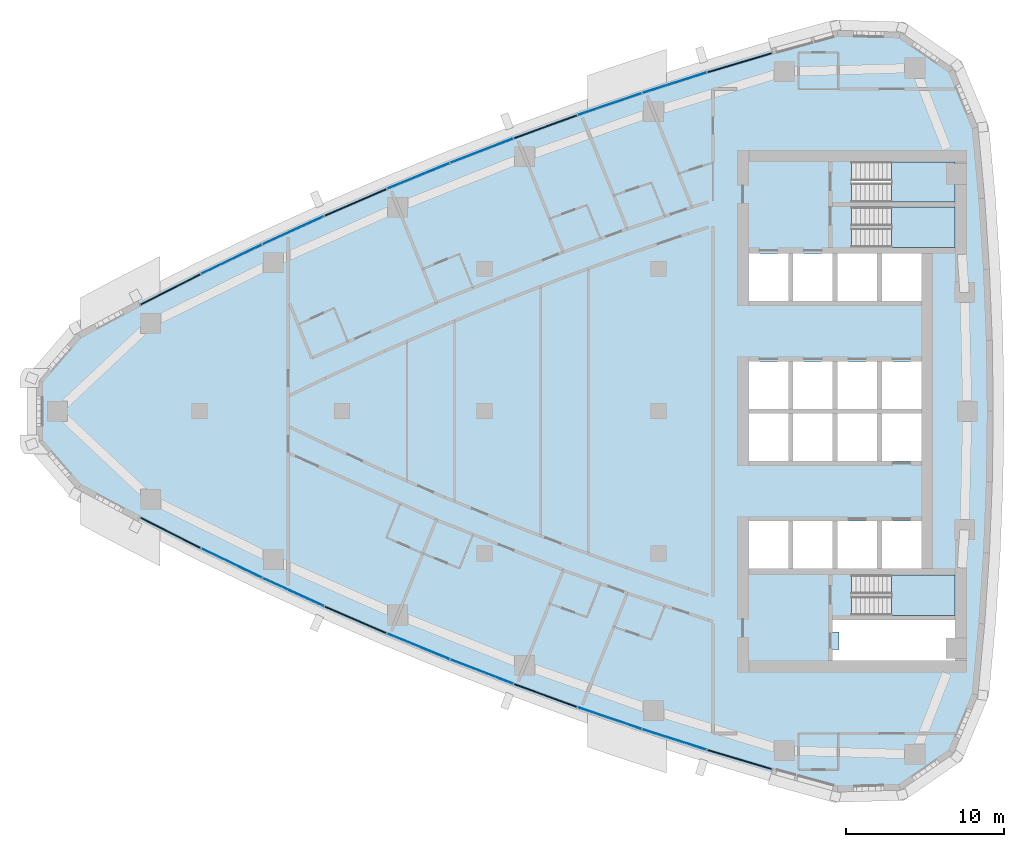
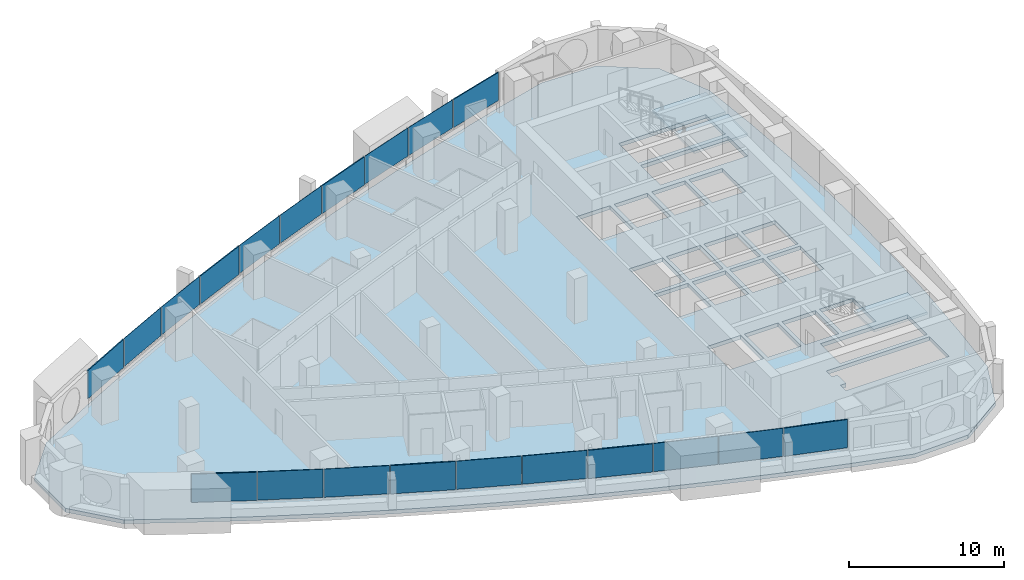
# One storey, part 8 of 17: 20 plates, 4 slabs, 1 opening, 13 elements without a shape of their own.
"""IFC4 building model written with IfcOpenShell, lengths in metres."""

from ifc_helpers import new_model, si_unit, direction, frame, origin, origin_2d, place, context, subcontext, project, spatial, polyline, rectangle, outline, extrude, material, layer, layer_set, type_object, element, aggregate, save


model = new_model("IFC4")

# Units and contexts
model_context = context("Model", 3, precision=1e-05, world=origin(), true_north=direction((0.0, 1.0)))
body_context = subcontext(model_context, "Body", "Model", "MODEL_VIEW")
ifc_project = project(units=[si_unit("LENGTHUNIT", "METRE"), si_unit("AREAUNIT", "SQUARE_METRE"), si_unit("VOLUMEUNIT", "CUBIC_METRE"), si_unit("PLANEANGLEUNIT", "RADIAN"), si_unit("MASSUNIT", "GRAM", prefix="KILO")], contexts=[model_context])

# Site, building, storey
site_placement = place(None, origin())
site = spatial("IfcSite", under=ifc_project, at=site_placement, CompositionType="ELEMENT")
building_placement = place(site_placement, origin())
building = spatial("IfcBuilding", under=site, at=building_placement, Name="Ostrand Prow Hotel Tower", CompositionType="ELEMENT")
storey_placement = place(building_placement, frame((0.0, 0.0, 175.5)))
storey = spatial("IfcBuildingStorey", under=building, at=storey_placement, Name="L43", CompositionType="ELEMENT", Elevation=175.5)

# Curtain wall, plate
ifc_material_1 = material(Name="Insulated glass in bronze anodised frame", Category="glass")
ifc_layer_1 = layer(ifc_material_1, 0.199951171875)
ifc_layer_set_1 = layer_set([ifc_layer_1], Name="Insulated glass in bronze anodised frame")
curtain_wall_type = type_object("IfcCurtainWallType", Name="Strip curtain wall, fritted glass over bronze spandrel", PredefinedType="NOTDEFINED", material=ifc_layer_set_1)
curtain_wall_1_placement = place(storey_placement, origin())
curtain_wall_1 = element("IfcCurtainWall", 1, at=curtain_wall_1_placement, inside=storey, type_object=curtain_wall_type, Name="CW1 run CWS1", PredefinedType="NOTDEFINED")
ifc_material_2 = material(Name="Ceramic-fritted glass", Category="glass")
ifc_layer_2 = layer(ifc_material_2, 0.031982421875)
ifc_layer_set_2 = layer_set([ifc_layer_2], Name="Ceramic-fritted glass")
plate_type_1 = type_object("IfcPlateType", Name="Dot-fritted ceramic glass unit 32 mm", PredefinedType="CURTAIN_PANEL", material=ifc_layer_set_2)
plate_1_placement = place(storey_placement, frame((18.033203125, -9.596435546875, 1.02001953125), z_axis=(0.0, 0.0, 1.0), x_axis=(0.90061633232, -0.434615027304, 0.0)))
plate_1 = element("IfcPlate", 2, at=plate_1_placement, type_object=plate_type_1, Name="CW1 PN-D panel 2.2", PredefinedType="CURTAIN_PANEL", context=body_context, shape_type="SweptSolid", body=[
    extrude(rectangle(XDim=4.2451171875, YDim=0.031982421875, at=origin_2d()), origin(), (0.0, 0.0, 1.0), 2.22998046875),
])

curtain_wall_2_placement = place(storey_placement, origin())
curtain_wall_2 = element("IfcCurtainWall", 3, at=curtain_wall_2_placement, inside=storey, type_object=curtain_wall_type, Name="CW1 run CWS2", PredefinedType="NOTDEFINED")
plate_2_placement = place(storey_placement, frame((21.928955078125, -11.428466796875, 1.02001953125), z_axis=(0.0, 0.0, 1.0), x_axis=(0.909184517226, -0.416393460127, 0.0)))
plate_2 = element("IfcPlate", 4, at=plate_2_placement, type_object=plate_type_1, Name="CW1 PN-D panel 1.2", PredefinedType="CURTAIN_PANEL", context=body_context, shape_type="SweptSolid", body=[
    extrude(rectangle(XDim=4.2451171875, YDim=0.031982421875, at=origin_2d()), origin(), (0.0, 0.0, 1.0), 2.22998046875),
])

# Curtain wall, plates
curtain_wall_3_placement = place(storey_placement, origin())
curtain_wall_3 = element("IfcCurtainWall", 5, at=curtain_wall_3_placement, inside=storey, type_object=curtain_wall_type, Name="CW1 run CWS3", PredefinedType="NOTDEFINED")
plate_3_placement = place(storey_placement, frame((29.826904296875, -14.85498046875, 1.02001953125), z_axis=(0.0, 0.0, 1.0), x_axis=(0.925211042932, -0.379452929936, 0.0)))
plate_3 = element("IfcPlate", 6, at=plate_3_placement, type_object=plate_type_1, Name="CW1 PN-D panel 1.2", PredefinedType="CURTAIN_PANEL", context=body_context, shape_type="SweptSolid", body=[
    extrude(rectangle(XDim=4.2451171875, YDim=0.031982421875, at=origin_2d()), origin(), (0.0, 0.0, 1.0), 2.22998046875),
])
plate_4_placement = place(storey_placement, frame((33.826171875, -16.4482421875, 1.02001953125), z_axis=(0.0, 0.0, 1.0), x_axis=(0.932662950972, -0.360748970732, 0.0)))
plate_4 = element("IfcPlate", 7, at=plate_4_placement, type_object=plate_type_1, Name="CW1 PN-D panel 2.2", PredefinedType="CURTAIN_PANEL", context=body_context, shape_type="SweptSolid", body=[
    extrude(rectangle(XDim=4.2451171875, YDim=0.031982421875, at=origin_2d()), origin(), (0.0, 0.0, 1.0), 2.22998046875),
])
aggregate(curtain_wall_3, [plate_3, plate_4])

# Curtain wall, plate
curtain_wall_4_placement = place(storey_placement, origin())
curtain_wall_4 = element("IfcCurtainWall", 8, at=curtain_wall_4_placement, inside=storey, type_object=curtain_wall_type, Name="CW1 run CWS4", PredefinedType="NOTDEFINED")
plate_5_placement = place(storey_placement, frame((41.91650390625, -19.3916015625, 1.02001953125), z_axis=(0.0, 0.0, 1.0), x_axis=(0.946430245113, -0.322908332404, 0.0)))
plate_5 = element("IfcPlate", 9, at=plate_5_placement, type_object=plate_type_1, Name="CW1 PN-D panel 2.2", PredefinedType="CURTAIN_PANEL", context=body_context, shape_type="SweptSolid", body=[
    extrude(rectangle(XDim=4.2451171875, YDim=0.031982421875, at=origin_2d()), origin(), (0.0, 0.0, 1.0), 2.22998046875),
])

curtain_wall_5_placement = place(storey_placement, origin())
curtain_wall_5 = element("IfcCurtainWall", 10, at=curtain_wall_5_placement, inside=storey, type_object=curtain_wall_type, Name="CW1 run CWS5", PredefinedType="NOTDEFINED")
plate_6_placement = place(storey_placement, frame((46.00439453125, -20.74072265625, 1.02001953125), z_axis=(0.0, 0.0, 1.0), x_axis=(0.952739983864, -0.303786970008, 0.0)))
plate_6 = element("IfcPlate", 11, at=plate_6_placement, type_object=plate_type_1, Name="CW1 PN-D panel 1.2", PredefinedType="CURTAIN_PANEL", context=body_context, shape_type="SweptSolid", body=[
    extrude(rectangle(XDim=4.2451171875, YDim=0.031982421875, at=origin_2d()), origin(), (0.0, 0.0, 1.0), 2.22998046875),
])

curtain_wall_6_placement = place(storey_placement, origin())
curtain_wall_6 = element("IfcCurtainWall", 12, at=curtain_wall_6_placement, inside=storey, type_object=curtain_wall_type, Name="CW1 run CWN1", PredefinedType="NOTDEFINED")
plate_7_placement = place(storey_placement, frame((46.00439453125, 20.74072265625, 1.02001953125), z_axis=(0.0, 0.0, 1.0), x_axis=(-0.952739983864, -0.303786970008, 0.0)))
plate_7 = element("IfcPlate", 13, at=plate_7_placement, type_object=plate_type_1, Name="CW1 PN-D panel 2.2", PredefinedType="CURTAIN_PANEL", context=body_context, shape_type="SweptSolid", body=[
    extrude(rectangle(XDim=4.2451171875, YDim=0.031982421875, at=origin_2d()), origin(), (0.0, 0.0, 1.0), 2.22998046875),
])

curtain_wall_7_placement = place(storey_placement, origin())
curtain_wall_7 = element("IfcCurtainWall", 14, at=curtain_wall_7_placement, inside=storey, type_object=curtain_wall_type, Name="CW1 run CWN2", PredefinedType="NOTDEFINED")
plate_8_placement = place(storey_placement, frame((41.91650390625, 19.3916015625, 1.02001953125), z_axis=(0.0, 0.0, 1.0), x_axis=(-0.946430245113, -0.322908332404, 0.0)))
plate_8 = element("IfcPlate", 15, at=plate_8_placement, type_object=plate_type_1, Name="CW1 PN-D panel 1.2", PredefinedType="CURTAIN_PANEL", context=body_context, shape_type="SweptSolid", body=[
    extrude(rectangle(XDim=4.2451171875, YDim=0.031982421875, at=origin_2d()), origin(), (0.0, 0.0, 1.0), 2.22998046875),
])

# Curtain wall, plates
curtain_wall_8_placement = place(storey_placement, origin())
curtain_wall_8 = element("IfcCurtainWall", 16, at=curtain_wall_8_placement, inside=storey, type_object=curtain_wall_type, Name="CW1 run CWN3", PredefinedType="NOTDEFINED")
plate_9_placement = place(storey_placement, frame((33.826171875, 16.4482421875, 1.02001953125), z_axis=(0.0, 0.0, 1.0), x_axis=(-0.932662950972, -0.360748970732, 0.0)))
plate_9 = element("IfcPlate", 17, at=plate_9_placement, type_object=plate_type_1, Name="CW1 PN-D panel 1.2", PredefinedType="CURTAIN_PANEL", context=body_context, shape_type="SweptSolid", body=[
    extrude(rectangle(XDim=4.2451171875, YDim=0.031982421875, at=origin_2d()), origin(), (0.0, 0.0, 1.0), 2.22998046875),
])
plate_10_placement = place(storey_placement, frame((29.826904296875, 14.85498046875, 1.02001953125), z_axis=(0.0, 0.0, 1.0), x_axis=(-0.925211042932, -0.379452929936, 0.0)))
plate_10 = element("IfcPlate", 18, at=plate_10_placement, type_object=plate_type_1, Name="CW1 PN-D panel 2.2", PredefinedType="CURTAIN_PANEL", context=body_context, shape_type="SweptSolid", body=[
    extrude(rectangle(XDim=4.2451171875, YDim=0.031982421875, at=origin_2d()), origin(), (0.0, 0.0, 1.0), 2.22998046875),
])
aggregate(curtain_wall_8, [plate_9, plate_10])

# Curtain wall, plate
curtain_wall_9_placement = place(storey_placement, origin())
curtain_wall_9 = element("IfcCurtainWall", 19, at=curtain_wall_9_placement, inside=storey, type_object=curtain_wall_type, Name="CW1 run CWN4", PredefinedType="NOTDEFINED")
plate_11_placement = place(storey_placement, frame((21.928955078125, 11.428466796875, 1.02001953125), z_axis=(0.0, 0.0, 1.0), x_axis=(-0.909184517226, -0.416393460127, 0.0)))
plate_11 = element("IfcPlate", 20, at=plate_11_placement, type_object=plate_type_1, Name="CW1 PN-D panel 2.2", PredefinedType="CURTAIN_PANEL", context=body_context, shape_type="SweptSolid", body=[
    extrude(rectangle(XDim=4.2451171875, YDim=0.031982421875, at=origin_2d()), origin(), (0.0, 0.0, 1.0), 2.22998046875),
])

curtain_wall_10_placement = place(storey_placement, origin())
curtain_wall_10 = element("IfcCurtainWall", 21, at=curtain_wall_10_placement, inside=storey, type_object=curtain_wall_type, Name="CW1 run CWN5", PredefinedType="NOTDEFINED")
plate_12_placement = place(storey_placement, frame((18.033203125, 9.596435546875, 1.02001953125), z_axis=(0.0, 0.0, 1.0), x_axis=(-0.90061633232, -0.434615027304, 0.0)))
plate_12 = element("IfcPlate", 22, at=plate_12_placement, type_object=plate_type_1, Name="CW1 PN-D panel 1.2", PredefinedType="CURTAIN_PANEL", context=body_context, shape_type="SweptSolid", body=[
    extrude(rectangle(XDim=4.2451171875, YDim=0.031982421875, at=origin_2d()), origin(), (0.0, 0.0, 1.0), 2.22998046875),
])

# Plate
ifc_material_3 = material(Name="Fritted glass in bronze vent frame", Category="glass")
ifc_layer_3 = layer(ifc_material_3, 0.080078125)
ifc_layer_set_3 = layer_set([ifc_layer_3], Name="Fritted glass in bronze vent frame")
plate_type_2 = type_object("IfcPlateType", Name="Operable vent panel 80 mm", PredefinedType="CURTAIN_PANEL", material=ifc_layer_set_3)
plate_13_placement = place(storey_placement, frame((14.17529296875, -7.6865234375, 1.02001953125), z_axis=(0.0, 0.0, 1.0), x_axis=(0.891683792196, -0.452658828186, 0.0)))
plate_13 = element("IfcPlate", 23, at=plate_13_placement, type_object=plate_type_2, Name="CW1 PN-O2 panel 1.2", PredefinedType="CURTAIN_PANEL", context=body_context, shape_type="SweptSolid", body=[
    extrude(rectangle(XDim=4.2451171875, YDim=0.080078125, at=origin_2d()), origin(), (0.0, 0.0, 1.0), 2.22998046875),
])

aggregate(curtain_wall_1, [plate_13, plate_1])

plate_14_placement = place(storey_placement, frame((25.860595703125, -13.181396484375, 1.02001953125), z_axis=(0.0, 0.0, 1.0), x_axis=(0.917383388347, -0.398004671812, 0.0)))
plate_14 = element("IfcPlate", 24, at=plate_14_placement, type_object=plate_type_2, Name="CW1 PN-O2 panel 2.2", PredefinedType="CURTAIN_PANEL", context=body_context, shape_type="SweptSolid", body=[
    extrude(rectangle(XDim=4.2451171875, YDim=0.080078125, at=origin_2d()), origin(), (0.0, 0.0, 1.0), 2.22998046875),
])

aggregate(curtain_wall_2, [plate_2, plate_14])

plate_15_placement = place(storey_placement, frame((37.8564453125, -17.960693359375, 1.02001953125), z_axis=(0.0, 0.0, 1.0), x_axis=(0.939737383067, -0.341897134919, 0.0)))
plate_15 = element("IfcPlate", 25, at=plate_15_placement, type_object=plate_type_2, Name="CW1 PN-O2 panel 1.2", PredefinedType="CURTAIN_PANEL", context=body_context, shape_type="SweptSolid", body=[
    extrude(rectangle(XDim=4.2451171875, YDim=0.080078125, at=origin_2d()), origin(), (0.0, 0.0, 1.0), 2.22998046875),
])

aggregate(curtain_wall_4, [plate_15, plate_5])

plate_16_placement = place(storey_placement, frame((50.118896484375, -22.007080078125, 1.02001953125), z_axis=(0.0, 0.0, 1.0), x_axis=(0.958662947758, -0.284544113619, 0.0)))
plate_16 = element("IfcPlate", 26, at=plate_16_placement, type_object=plate_type_2, Name="CW1 PN-O2 panel 2.2", PredefinedType="CURTAIN_PANEL", context=body_context, shape_type="SweptSolid", body=[
    extrude(rectangle(XDim=4.2451171875, YDim=0.080078125, at=origin_2d()), origin(), (0.0, 0.0, 1.0), 2.22998046875),
])

aggregate(curtain_wall_5, [plate_6, plate_16])

plate_17_placement = place(storey_placement, frame((50.118896484375, 22.007080078125, 1.02001953125), z_axis=(0.0, 0.0, 1.0), x_axis=(-0.958662947758, -0.284544113619, 0.0)))
plate_17 = element("IfcPlate", 27, at=plate_17_placement, type_object=plate_type_2, Name="CW1 PN-O2 panel 1.2", PredefinedType="CURTAIN_PANEL", context=body_context, shape_type="SweptSolid", body=[
    extrude(rectangle(XDim=4.2451171875, YDim=0.080078125, at=origin_2d()), origin(), (0.0, 0.0, 1.0), 2.22998046875),
])

aggregate(curtain_wall_6, [plate_17, plate_7])

plate_18_placement = place(storey_placement, frame((37.8564453125, 17.960693359375, 1.02001953125), z_axis=(0.0, 0.0, 1.0), x_axis=(-0.939737383067, -0.341897134919, 0.0)))
plate_18 = element("IfcPlate", 28, at=plate_18_placement, type_object=plate_type_2, Name="CW1 PN-O2 panel 2.2", PredefinedType="CURTAIN_PANEL", context=body_context, shape_type="SweptSolid", body=[
    extrude(rectangle(XDim=4.2451171875, YDim=0.080078125, at=origin_2d()), origin(), (0.0, 0.0, 1.0), 2.22998046875),
])

aggregate(curtain_wall_7, [plate_8, plate_18])

plate_19_placement = place(storey_placement, frame((25.860595703125, 13.181396484375, 1.02001953125), z_axis=(0.0, 0.0, 1.0), x_axis=(-0.917383388347, -0.398004671812, 0.0)))
plate_19 = element("IfcPlate", 29, at=plate_19_placement, type_object=plate_type_2, Name="CW1 PN-O2 panel 1.2", PredefinedType="CURTAIN_PANEL", context=body_context, shape_type="SweptSolid", body=[
    extrude(rectangle(XDim=4.2451171875, YDim=0.080078125, at=origin_2d()), origin(), (0.0, 0.0, 1.0), 2.22998046875),
])

aggregate(curtain_wall_9, [plate_19, plate_11])

plate_20_placement = place(storey_placement, frame((14.17529296875, 7.6865234375, 1.02001953125), z_axis=(0.0, 0.0, 1.0), x_axis=(-0.891683792196, -0.452658828186, 0.0)))
plate_20 = element("IfcPlate", 30, at=plate_20_placement, type_object=plate_type_2, Name="CW1 PN-O2 panel 2.2", PredefinedType="CURTAIN_PANEL", context=body_context, shape_type="SweptSolid", body=[
    extrude(rectangle(XDim=4.2451171875, YDim=0.080078125, at=origin_2d()), origin(), (0.0, 0.0, 1.0), 2.22998046875),
])

aggregate(curtain_wall_10, [plate_12, plate_20])

# Slab, opening
ifc_material_4 = material(Name="Concrete C40/50", Category="concrete")
ifc_layer_4 = layer(ifc_material_4, 0.300048828125)
ifc_layer_set_4 = layer_set([ifc_layer_4], Name="Concrete C40/50")
slab_type_1 = type_object("IfcSlabType", Name="PT flat plate 300 C40/50", PredefinedType="FLOOR", material=ifc_layer_set_4)
slab_1_placement = place(storey_placement, frame((0.0, 0.0, -0.300048828125)))
slab_1 = element("IfcSlab", 31, at=slab_1_placement, inside=storey, type_object=slab_type_1, Name="Floor slab L43-1", PredefinedType="FLOOR", context=body_context, shape_type="SweptSolid", body=[
    extrude(outline(polyline([(8.22216796875, 5.025634765625), (12.06689453125, 7.07568359375), (15.912841796875, 9.0283203125), (19.797607421875, 10.90283203125), (23.718994140625, 12.698974609375), (27.676025390625, 14.41552734375), (31.666748046875, 16.05224609375), (35.689697265625, 17.6083984375), (39.7431640625, 19.0830078125), (43.8251953125, 20.475830078125), (47.934814453125, 21.7861328125), (52.06982421875, 23.013427734375), (56.26220703125, 24.16650390625), (60.3349609375, 24.0498046875), (63.721435546875, 21.719482421875), (65.2861328125, 17.957275390625), (65.70947265625, 13.453369140625), (66.009765625, 8.974365234375), (66.18994140625, 4.48876953125), (66.25, 0.0), (66.18994140625, -4.48876953125), (66.009765625, -8.974365234375), (65.70947265625, -13.453369140625), (65.2861328125, -17.957275390625), (63.721435546875, -21.719482421875), (60.3349609375, -24.0498046875), (56.26220703125, -24.16650390625), (52.06982421875, -23.013427734375), (47.934814453125, -21.7861328125), (43.8251953125, -20.475830078125), (39.7431640625, -19.0830078125), (35.689697265625, -17.6083984375), (31.666748046875, -16.05224609375), (27.676025390625, -14.41552734375), (23.718994140625, -12.698974609375), (19.797607421875, -10.90283203125), (15.912841796875, -9.0283203125), (12.06689453125, -7.07568359375), (8.22216796875, -5.025634765625), (5.614013671875, -2.014892578125), (5.614013671875, 2.014892578125), (8.22216796875, 5.025634765625)]), holes=[polyline([(50.699951171875, 6.949951171875), (53.199951171875, 6.949951171875), (53.199951171875, 9.949951171875), (50.699951171875, 9.949951171875), (50.699951171875, 6.949951171875)]), polyline([(53.5, 6.949951171875), (56.0, 6.949951171875), (56.0, 9.949951171875), (53.5, 9.949951171875), (53.5, 6.949951171875)]), polyline([(56.300048828125, 6.949951171875), (58.800048828125, 6.949951171875), (58.800048828125, 9.949951171875), (56.300048828125, 9.949951171875), (56.300048828125, 6.949951171875)]), polyline([(59.10009765625, 6.949951171875), (61.60009765625, 6.949951171875), (61.60009765625, 9.949951171875), (59.10009765625, 9.949951171875), (59.10009765625, 6.949951171875)]), polyline([(50.699951171875, 0.14990234375), (53.199951171875, 0.14990234375), (53.199951171875, 3.14990234375), (50.699951171875, 3.14990234375), (50.699951171875, 0.14990234375)]), polyline([(53.5, 0.14990234375), (56.0, 0.14990234375), (56.0, 3.14990234375), (53.5, 3.14990234375), (53.5, 0.14990234375)]), polyline([(56.300048828125, 0.14990234375), (58.800048828125, 0.14990234375), (58.800048828125, 3.14990234375), (56.300048828125, 3.14990234375), (56.300048828125, 0.14990234375)]), polyline([(59.10009765625, 0.14990234375), (61.60009765625, 0.14990234375), (61.60009765625, 3.14990234375), (59.10009765625, 3.14990234375), (59.10009765625, 0.14990234375)]), polyline([(50.699951171875, -3.14990234375), (53.199951171875, -3.14990234375), (53.199951171875, -0.14990234375), (50.699951171875, -0.14990234375), (50.699951171875, -3.14990234375)]), polyline([(53.5, -3.14990234375), (56.0, -3.14990234375), (56.0, -0.14990234375), (53.5, -0.14990234375), (53.5, -3.14990234375)]), polyline([(56.300048828125, -3.14990234375), (58.800048828125, -3.14990234375), (58.800048828125, -0.14990234375), (56.300048828125, -0.14990234375), (56.300048828125, -3.14990234375)]), polyline([(59.10009765625, -3.14990234375), (61.60009765625, -3.14990234375), (61.60009765625, -0.14990234375), (59.10009765625, -0.14990234375), (59.10009765625, -3.14990234375)]), polyline([(50.699951171875, -9.949951171875), (53.199951171875, -9.949951171875), (53.199951171875, -6.949951171875), (50.699951171875, -6.949951171875), (50.699951171875, -9.949951171875)]), polyline([(53.5, -9.949951171875), (56.0, -9.949951171875), (56.0, -6.949951171875), (53.5, -6.949951171875), (53.5, -9.949951171875)]), polyline([(56.300048828125, -9.949951171875), (58.800048828125, -9.949951171875), (58.800048828125, -6.949951171875), (56.300048828125, -6.949951171875), (56.300048828125, -9.949951171875)]), polyline([(59.10009765625, -9.949951171875), (61.60009765625, -9.949951171875), (61.60009765625, -6.949951171875), (59.10009765625, -6.949951171875), (59.10009765625, -9.949951171875)]), polyline([(57.200927734375, 10.35107421875), (57.200927734375, 12.89892578125), (63.718994140625, 12.89892578125), (63.718994140625, 10.35107421875), (57.200927734375, 10.35107421875)]), polyline([(57.200927734375, 13.200927734375), (57.200927734375, 15.7490234375), (63.718994140625, 15.7490234375), (63.718994140625, 13.200927734375), (57.200927734375, 13.200927734375)]), polyline([(57.200927734375, -12.89892578125), (57.200927734375, -10.35107421875), (63.718994140625, -10.35107421875), (63.718994140625, -12.89892578125), (57.200927734375, -12.89892578125)]), polyline([(56.39990234375, -15.050048828125), (56.39990234375, -13.949951171875), (56.0, -13.949951171875), (56.0, -13.199951171875), (63.719970703125, -13.199951171875), (63.719970703125, -15.75), (56.0, -15.75), (56.0, -15.050048828125), (56.39990234375, -15.050048828125)])]), origin(), (0.0, 0.0, 1.0), 0.300048828125),
])
opening_placement = place(slab_1_placement, origin())
element("IfcOpeningElement", 32, at=opening_placement, cuts=slab_1, Name="Shaft opening 1", PredefinedType="OPENING", context=body_context, shape_type="SweptSolid", body=[
    extrude(outline(polyline([(56.39990234375, -15.050048828125), (56.39990234375, -13.949951171875), (56.0, -13.949951171875), (56.0, -13.199951171875), (63.719970703125, -13.199951171875), (63.719970703125, -15.75), (56.0, -15.75), (56.0, -15.050048828125), (56.39990234375, -15.050048828125)])), origin(), (0.0, 0.0, 1.0), 0.300048828125),
])

# Stair, slab
ifc_material_5 = material(Name="Concrete C40/50", Category="concrete")
stair_type = type_object("IfcStairType", Name="Exit stair 1200 upper zone", PredefinedType="HALF_TURN_STAIR", material=ifc_material_5)
stair_1_placement = place(storey_placement, origin())
stair_1 = element("IfcStair", 33, at=stair_1_placement, inside=storey, type_object=stair_type, Name="L43 ST1C", PredefinedType="HALF_TURN_STAIR")
ifc_material_6 = material(Name="Concrete C40/50", Category="concrete")
ifc_layer_5 = layer(ifc_material_6, 0.199951171875)
ifc_layer_set_5 = layer_set([ifc_layer_5], Name="Concrete C40/50")
slab_type_2 = type_object("IfcSlabType", Name="Stair landing 200 concrete", PredefinedType="LANDING", material=ifc_layer_set_5)
slab_2_placement = place(storey_placement, frame((0.0, 0.0, 1.574951171875)))
slab_2 = element("IfcSlab", 34, at=slab_2_placement, type_object=slab_type_2, Name="ST1C landing 1", PredefinedType="LANDING", context=body_context, shape_type="SweptSolid", body=[
    extrude(outline(polyline([(59.719970703125, 10.35009765625), (63.719970703125, 10.35009765625), (63.719970703125, 12.89990234375), (59.719970703125, 12.89990234375), (59.719970703125, 10.35009765625)])), origin(), (0.0, 0.0, 1.0), 0.199951171875),
])
aggregate(stair_1, [slab_2])

stair_2_placement = place(storey_placement, origin())
stair_2 = element("IfcStair", 35, at=stair_2_placement, inside=storey, type_object=stair_type, Name="L43 ST3C", PredefinedType="HALF_TURN_STAIR")
slab_3_placement = place(storey_placement, frame((0.0, 0.0, 1.574951171875)))
slab_3 = element("IfcSlab", 36, at=slab_3_placement, type_object=slab_type_2, Name="ST3C landing 1", PredefinedType="LANDING", context=body_context, shape_type="SweptSolid", body=[
    extrude(outline(polyline([(59.719970703125, 13.199951171875), (63.719970703125, 13.199951171875), (63.719970703125, 15.75), (59.719970703125, 15.75), (59.719970703125, 13.199951171875)])), origin(), (0.0, 0.0, 1.0), 0.199951171875),
])
aggregate(stair_2, [slab_3])

stair_3_placement = place(storey_placement, origin())
stair_3 = element("IfcStair", 37, at=stair_3_placement, inside=storey, type_object=stair_type, Name="L43 ST2C", PredefinedType="HALF_TURN_STAIR")
slab_4_placement = place(storey_placement, frame((0.0, 0.0, 1.574951171875)))
slab_4 = element("IfcSlab", 38, at=slab_4_placement, type_object=slab_type_2, Name="ST2C landing 1", PredefinedType="LANDING", context=body_context, shape_type="SweptSolid", body=[
    extrude(outline(polyline([(59.719970703125, -12.89990234375), (63.719970703125, -12.89990234375), (63.719970703125, -10.35009765625), (59.719970703125, -10.35009765625), (59.719970703125, -12.89990234375)])), origin(), (0.0, 0.0, 1.0), 0.199951171875),
])
aggregate(stair_3, [slab_4])

save(model, "model.ifc")
